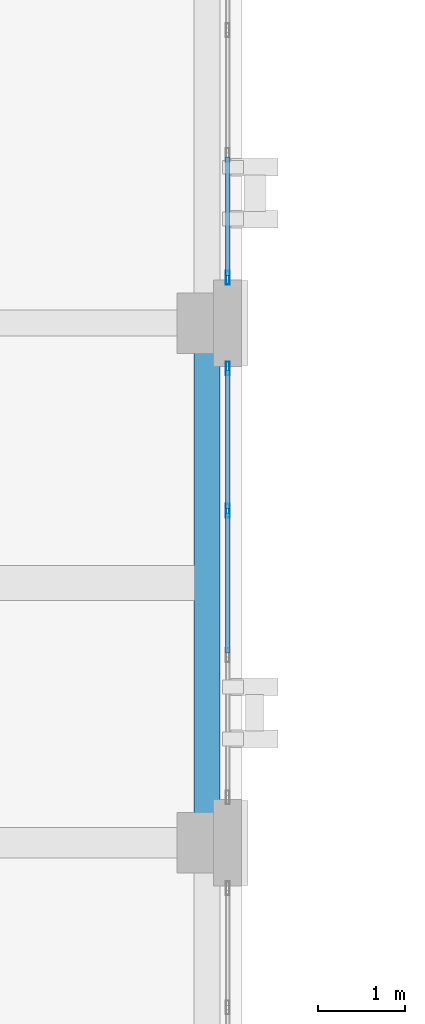
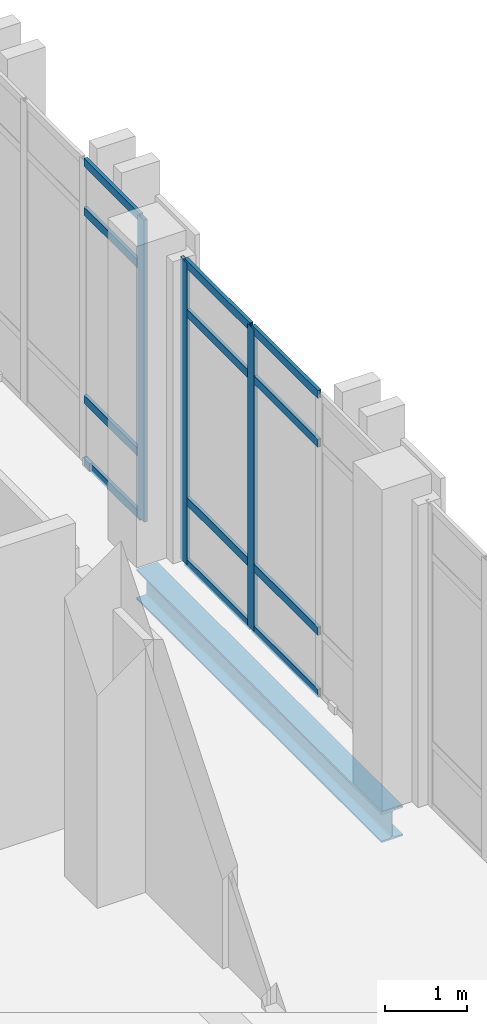
# One storey, part 73 of 189: 15 members, 1 beam, 2 elements without a shape of their own.
"""IFC4 building model written with IfcOpenShell, lengths in metres."""

from ifc_helpers import new_model, si_unit, direction, frame, origin, origin_2d, place, context, subcontext, project, spatial, hollow_rectangle, i_section, extrude, material, layer, layer_set, material_profile, profile_set, type_object, element, aggregate, save


model = new_model("IFC4")

# Units and contexts
model_context = context("Model", 3, precision=1e-05, world=origin(), true_north=direction((0.0, 1.0)))
body_context = subcontext(model_context, "Body", "Model", "MODEL_VIEW")
ifc_project = project(units=[si_unit("LENGTHUNIT", "METRE"), si_unit("AREAUNIT", "SQUARE_METRE"), si_unit("VOLUMEUNIT", "CUBIC_METRE"), si_unit("PLANEANGLEUNIT", "RADIAN"), si_unit("MASSUNIT", "GRAM", prefix="KILO")], contexts=[model_context])

# Site, building, storey
site_placement = place(None, origin())
site = spatial("IfcSite", under=ifc_project, at=site_placement, CompositionType="ELEMENT")
building_placement = place(site_placement, origin())
building = spatial("IfcBuilding", under=site, at=building_placement, Name="Qalavern Law Courts", CompositionType="ELEMENT")
storey_placement = place(building_placement, frame((0.0, 0.0, 5.39990234375)))
storey = spatial("IfcBuildingStorey", under=building, at=storey_placement, Name="L01", CompositionType="ELEMENT", Elevation=5.39990234375)

# Curtain wall, members
ifc_material_1 = material(Name="Anodised aluminium and insulated glazing", Category="aluminium")
ifc_layer = layer(ifc_material_1, 0.172119140625)
ifc_layer_set = layer_set([ifc_layer], Name="Anodised aluminium and insulated glazing")
curtain_wall_type = type_object("IfcCurtainWallType", Name="ENV-CW-COURT", PredefinedType="USERDEFINED", material=ifc_layer_set)
curtain_wall_1_placement = place(storey_placement, origin())
curtain_wall_1 = element("IfcCurtainWall", 1, at=curtain_wall_1_placement, inside=storey, type_object=curtain_wall_type, Name="V3 unitised curtain wall L01 east 5", ObjectType="UNITISED CURTAIN WALL", PredefinedType="USERDEFINED")
ifc_material_2 = material(Name="Anodised aluminium", Category="aluminium")
ifc_material_profile_1 = material_profile(ifc_material_2, hollow_rectangle(XDim=0.048095703125, YDim=0.159912109375, WallThickness=0.00390625, at=origin_2d()), Name="ALU MULLION 48x160")
ifc_profile_set_1 = profile_set([ifc_material_profile_1], Name="Anodised aluminium")
member_type_1 = type_object("IfcMemberType", Name="ENV-CWM-48x160", PredefinedType="MULLION", material=ifc_profile_set_1)
member_1_placement = place(storey_placement, frame((18.637451171875, 77.2333984375, 0.0), z_axis=(0.0, 0.0, 1.0), x_axis=(-1.0, 0.0, 0.0)))
member_1 = element("IfcMember", 2, at=member_1_placement, type_object=member_type_1, Name="CW-03 mullion 3", PredefinedType="MULLION", context=body_context, shape_type="SweptSolid", body=[
    extrude(hollow_rectangle(XDim=0.048095703125, YDim=0.159912109375, WallThickness=0.00390625, at=origin_2d()), origin(), (0.0, 0.0, 1.0), 4.510009765625),
])
member_2_placement = place(storey_placement, frame((18.637451171875, 78.8759765625, 0.0), z_axis=(0.0, 0.0, 1.0), x_axis=(-1.0, 0.0, 0.0)))
member_2 = element("IfcMember", 3, at=member_2_placement, type_object=member_type_1, Name="CW-03 mullion 4", PredefinedType="MULLION", context=body_context, shape_type="SweptSolid", body=[
    extrude(hollow_rectangle(XDim=0.048095703125, YDim=0.159912109375, WallThickness=0.00390625, at=origin_2d()), origin(), (0.0, 0.0, 1.0), 4.510009765625),
])

# Curtain wall, member
curtain_wall_2_placement = place(storey_placement, origin())
curtain_wall_2 = element("IfcCurtainWall", 4, at=curtain_wall_2_placement, inside=storey, type_object=curtain_wall_type, Name="V3 unitised curtain wall L01 east 6", ObjectType="UNITISED CURTAIN WALL", PredefinedType="USERDEFINED")
member_3_placement = place(storey_placement, frame((18.637451171875, 79.924072265625, 0.0), z_axis=(0.0, 0.0, 1.0), x_axis=(-1.0, 0.0, 0.0)))
member_3 = element("IfcMember", 5, at=member_3_placement, type_object=member_type_1, Name="CW-03 mullion 1", PredefinedType="MULLION", context=body_context, shape_type="SweptSolid", body=[
    extrude(hollow_rectangle(XDim=0.048095703125, YDim=0.159912109375, WallThickness=0.00390625, at=origin_2d()), origin(), (0.0, 0.0, 1.0), 4.510009765625),
])

# Member
ifc_material_profile_2 = material_profile(ifc_material_2, hollow_rectangle(XDim=0.048095703125, YDim=0.1201171875, WallThickness=0.00390625, at=origin_2d()), Name="ALU TRANSOM 48x120")
ifc_profile_set_2 = profile_set([ifc_material_profile_2], Name="Anodised aluminium")
member_type_2 = type_object("IfcMemberType", Name="ENV-CWT-48x120", PredefinedType="USERDEFINED", material=ifc_profile_set_2)
member_4_placement = place(storey_placement, frame((18.637451171875, 75.590576171875, 0.024169921875), z_axis=(0.0, 1.0, 0.0), x_axis=(-1.0, 0.0, 0.0)))
member_4 = element("IfcMember", 6, at=member_4_placement, type_object=member_type_2, Name="CW-03 transom 2.1", ObjectType="TRANSOM", PredefinedType="USERDEFINED", context=body_context, shape_type="SweptSolid", body=[
    extrude(hollow_rectangle(XDim=0.048095703125, YDim=0.1201171875, WallThickness=0.00390625, at=origin_2d()), origin(), (0.0, 0.0, 1.0), 1.61865234375),
])

member_5_placement = place(storey_placement, frame((18.637451171875, 75.590576171875, 0.9501953125), z_axis=(0.0, 1.0, 0.0), x_axis=(-1.0, 0.0, 0.0)))
member_5 = element("IfcMember", 7, at=member_5_placement, type_object=member_type_2, Name="CW-03 transom 2.2", ObjectType="TRANSOM", PredefinedType="USERDEFINED", context=body_context, shape_type="SweptSolid", body=[
    extrude(hollow_rectangle(XDim=0.048095703125, YDim=0.1201171875, WallThickness=0.00390625, at=origin_2d()), origin(), (0.0, 0.0, 1.0), 1.61865234375),
])

member_6_placement = place(storey_placement, frame((18.637451171875, 75.590576171875, 3.760009765625), z_axis=(0.0, 1.0, 0.0), x_axis=(-1.0, 0.0, 0.0)))
member_6 = element("IfcMember", 8, at=member_6_placement, type_object=member_type_2, Name="CW-03 transom 2.3", ObjectType="TRANSOM", PredefinedType="USERDEFINED", context=body_context, shape_type="SweptSolid", body=[
    extrude(hollow_rectangle(XDim=0.048095703125, YDim=0.1201171875, WallThickness=0.00390625, at=origin_2d()), origin(), (0.0, 0.0, 1.0), 1.61865234375),
])

member_7_placement = place(storey_placement, frame((18.637451171875, 75.590576171875, 4.486083984375), z_axis=(0.0, 1.0, 0.0), x_axis=(-1.0, 0.0, 0.0)))
member_7 = element("IfcMember", 9, at=member_7_placement, type_object=member_type_2, Name="CW-03 transom 2.4", ObjectType="TRANSOM", PredefinedType="USERDEFINED", context=body_context, shape_type="SweptSolid", body=[
    extrude(hollow_rectangle(XDim=0.048095703125, YDim=0.1201171875, WallThickness=0.00390625, at=origin_2d()), origin(), (0.0, 0.0, 1.0), 1.61865234375),
])

member_8_placement = place(storey_placement, frame((18.637451171875, 77.25732421875, 0.024169921875), z_axis=(0.0, 1.0, 0.0), x_axis=(-1.0, 0.0, 0.0)))
member_8 = element("IfcMember", 10, at=member_8_placement, type_object=member_type_2, Name="CW-03 transom 3.1", ObjectType="TRANSOM", PredefinedType="USERDEFINED", context=body_context, shape_type="SweptSolid", body=[
    extrude(hollow_rectangle(XDim=0.048095703125, YDim=0.1201171875, WallThickness=0.00390625, at=origin_2d()), origin(), (0.0, 0.0, 1.0), 1.5947265625),
])

member_9_placement = place(storey_placement, frame((18.637451171875, 77.25732421875, 0.9501953125), z_axis=(0.0, 1.0, 0.0), x_axis=(-1.0, 0.0, 0.0)))
member_9 = element("IfcMember", 11, at=member_9_placement, type_object=member_type_2, Name="CW-03 transom 3.2", ObjectType="TRANSOM", PredefinedType="USERDEFINED", context=body_context, shape_type="SweptSolid", body=[
    extrude(hollow_rectangle(XDim=0.048095703125, YDim=0.1201171875, WallThickness=0.00390625, at=origin_2d()), origin(), (0.0, 0.0, 1.0), 1.5947265625),
])

member_10_placement = place(storey_placement, frame((18.637451171875, 77.25732421875, 3.760009765625), z_axis=(0.0, 1.0, 0.0), x_axis=(-1.0, 0.0, 0.0)))
member_10 = element("IfcMember", 12, at=member_10_placement, type_object=member_type_2, Name="CW-03 transom 3.3", ObjectType="TRANSOM", PredefinedType="USERDEFINED", context=body_context, shape_type="SweptSolid", body=[
    extrude(hollow_rectangle(XDim=0.048095703125, YDim=0.1201171875, WallThickness=0.00390625, at=origin_2d()), origin(), (0.0, 0.0, 1.0), 1.5947265625),
])

member_11_placement = place(storey_placement, frame((18.637451171875, 77.25732421875, 4.486083984375), z_axis=(0.0, 1.0, 0.0), x_axis=(-1.0, 0.0, 0.0)))
member_11 = element("IfcMember", 13, at=member_11_placement, type_object=member_type_2, Name="CW-03 transom 3.4", ObjectType="TRANSOM", PredefinedType="USERDEFINED", context=body_context, shape_type="SweptSolid", body=[
    extrude(hollow_rectangle(XDim=0.048095703125, YDim=0.1201171875, WallThickness=0.00390625, at=origin_2d()), origin(), (0.0, 0.0, 1.0), 1.5947265625),
])

aggregate(curtain_wall_1, [member_1, member_2, member_4, member_5, member_6, member_7, member_8, member_9, member_10, member_11])

member_12_placement = place(storey_placement, frame((18.637451171875, 79.947998046875, 0.024169921875), z_axis=(0.0, 1.0, 0.0), x_axis=(-1.0, 0.0, 0.0)))
member_12 = element("IfcMember", 14, at=member_12_placement, type_object=member_type_2, Name="CW-03 transom 1.1", ObjectType="TRANSOM", PredefinedType="USERDEFINED", context=body_context, shape_type="SweptSolid", body=[
    extrude(hollow_rectangle(XDim=0.048095703125, YDim=0.1201171875, WallThickness=0.00390625, at=origin_2d()), origin(), (0.0, 0.0, 1.0), 1.367919921875),
])

member_13_placement = place(storey_placement, frame((18.637451171875, 79.947998046875, 0.9501953125), z_axis=(0.0, 1.0, 0.0), x_axis=(-1.0, 0.0, 0.0)))
member_13 = element("IfcMember", 15, at=member_13_placement, type_object=member_type_2, Name="CW-03 transom 1.2", ObjectType="TRANSOM", PredefinedType="USERDEFINED", context=body_context, shape_type="SweptSolid", body=[
    extrude(hollow_rectangle(XDim=0.048095703125, YDim=0.1201171875, WallThickness=0.00390625, at=origin_2d()), origin(), (0.0, 0.0, 1.0), 1.367919921875),
])

member_14_placement = place(storey_placement, frame((18.637451171875, 79.947998046875, 3.760009765625), z_axis=(0.0, 1.0, 0.0), x_axis=(-1.0, 0.0, 0.0)))
member_14 = element("IfcMember", 16, at=member_14_placement, type_object=member_type_2, Name="CW-03 transom 1.3", ObjectType="TRANSOM", PredefinedType="USERDEFINED", context=body_context, shape_type="SweptSolid", body=[
    extrude(hollow_rectangle(XDim=0.048095703125, YDim=0.1201171875, WallThickness=0.00390625, at=origin_2d()), origin(), (0.0, 0.0, 1.0), 1.367919921875),
])

member_15_placement = place(storey_placement, frame((18.637451171875, 79.947998046875, 4.486083984375), z_axis=(0.0, 1.0, 0.0), x_axis=(-1.0, 0.0, 0.0)))
member_15 = element("IfcMember", 17, at=member_15_placement, type_object=member_type_2, Name="CW-03 transom 1.4", ObjectType="TRANSOM", PredefinedType="USERDEFINED", context=body_context, shape_type="SweptSolid", body=[
    extrude(hollow_rectangle(XDim=0.048095703125, YDim=0.1201171875, WallThickness=0.00390625, at=origin_2d()), origin(), (0.0, 0.0, 1.0), 1.367919921875),
])

aggregate(curtain_wall_2, [member_3, member_12, member_13, member_14, member_15])

# Beam
ifc_material_3 = material(Name="Steel S355", Category="steel")
ifc_material_profile_3 = material_profile(ifc_material_3, i_section(OverallWidth=0.300048828125, OverallDepth=0.449951171875, WebThickness=0.013916015625, FlangeThickness=0.02587890625, FilletRadius=0.027099609375, at=origin_2d()), Name="HEB 450")
ifc_profile_set_3 = profile_set([ifc_material_profile_3], Name="Steel S355")
beam_type = type_object("IfcBeamType", Name="STR-SP-HEB450", PredefinedType="SPANDREL", material=ifc_profile_set_3)
beam_placement = place(storey_placement, frame((18.39990234375, 73.39990234375, -0.52490234375), z_axis=(0.0, 1.0, 0.0), x_axis=(-1.0, 0.0, 0.0)))
element("IfcBeam", 18, at=beam_placement, inside=storey, type_object=beam_type, Name="V3 Y-beam 3-5 L01", PredefinedType="SPANDREL", context=body_context, shape_type="SweptSolid", body=[
    extrude(i_section(OverallWidth=0.300048828125, OverallDepth=0.449951171875, WebThickness=0.013916015625, FlangeThickness=0.02587890625, FilletRadius=0.027099609375, at=origin_2d()), origin(), (0.0, 0.0, 1.0), 6.0),
])

save(model, "model.ifc")
